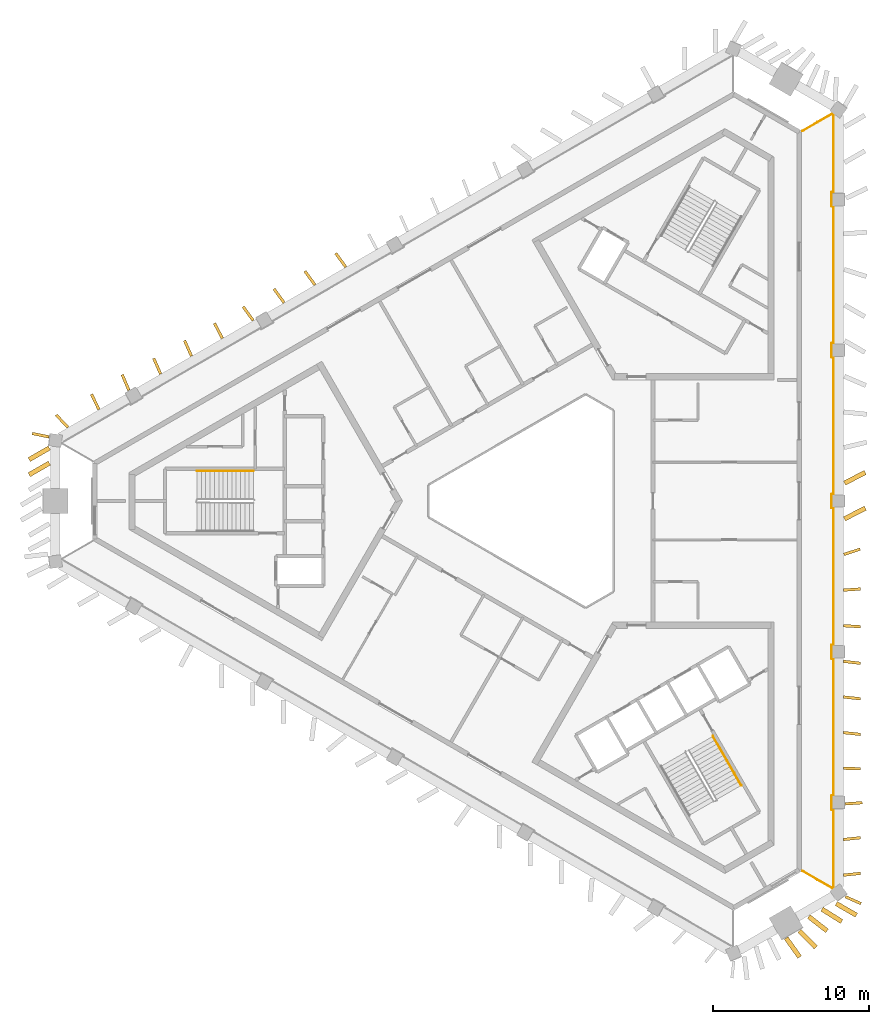
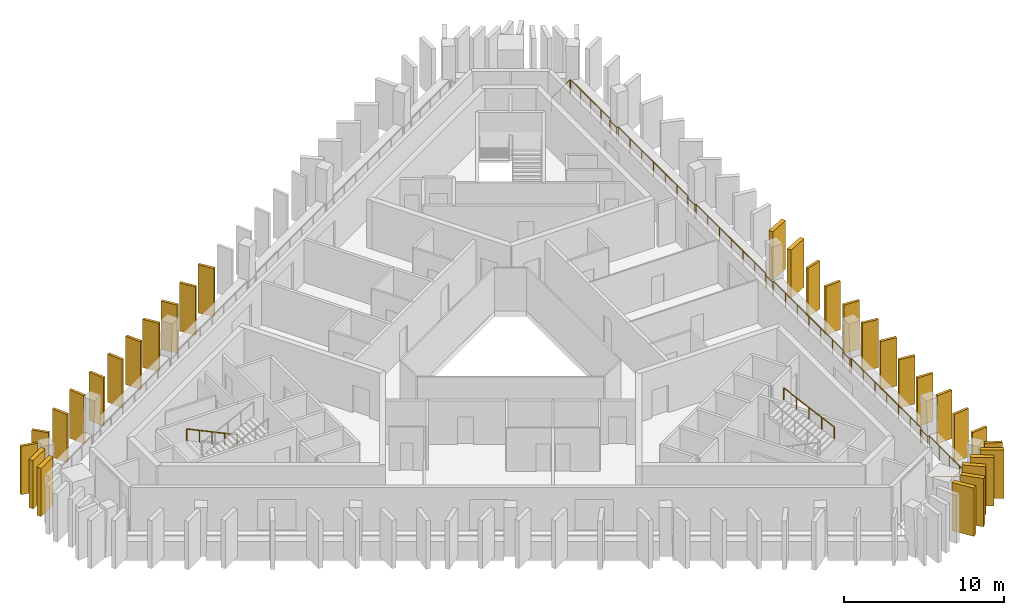
# One storey, part 8 of 9: 31 shading devices, 3 railings.
"""IFC4 building model written with IfcOpenShell, lengths in metres."""

from ifc_helpers import new_model, si_unit, direction, frame, frame_2d, origin, origin_2d, place, context, subcontext, project, spatial, rectangle, circle, extrude, material, layer, layer_set, type_object, element, save


model = new_model("IFC4")

# Units and contexts
model_context = context("Model", 3, precision=1e-05, world=origin(), true_north=direction((0.0, 1.0)))
body_context = subcontext(model_context, "Body", "Model", "MODEL_VIEW")
ifc_project = project(units=[si_unit("LENGTHUNIT", "METRE"), si_unit("AREAUNIT", "SQUARE_METRE"), si_unit("VOLUMEUNIT", "CUBIC_METRE"), si_unit("PLANEANGLEUNIT", "RADIAN"), si_unit("MASSUNIT", "GRAM", prefix="KILO")], contexts=[model_context])

# Site, building, storey
site_placement = place(None, origin())
site = spatial("IfcSite", under=ifc_project, at=site_placement, CompositionType="ELEMENT")
building_placement = place(site_placement, origin())
building = spatial("IfcBuilding", under=site, at=building_placement, Name="Jabali Bay Hotel Tower and Convention Centre", CompositionType="ELEMENT")
storey_placement = place(building_placement, frame((0.0, 0.0, 277.5)))
storey = spatial("IfcBuildingStorey", under=building, at=storey_placement, Name="L68", CompositionType="ELEMENT", Elevation=277.5)

# Railing
ifc_material_1 = material(Name="Glass", Category="glass")
railing_type_1 = type_object("IfcRailingType", Name="Loggia glass guard 1100", PredefinedType="BALUSTRADE", material=ifc_material_1)
railing_1_placement = place(storey_placement, frame((91.703125, 103.78759765625, 0.0)))
element("IfcRailing", 1, at=railing_1_placement, inside=storey, type_object=railing_type_1, Name="Loggia glass guard L68", PredefinedType="BALUSTRADE", context=body_context, shape_type="SweptSolid", body=[
    extrude(circle(Radius=0.02490234375, at=origin_2d()), frame((0.0, 0.0, 1.0751953125), z_axis=(0.866035472144, 0.499982560684, 0.0), x_axis=(-0.495705140567, 0.858626418625, 0.13052619222)), (0.0, 0.0, 1.0), 2.27490234375),
    extrude(circle(Radius=0.02490234375, at=origin_2d()), frame((1.97021484375, 1.137451171875, 1.0751953125), z_axis=(0.798426583615, -0.602092177808, 0.0), x_axis=(0.596941195761, 0.791595933509, 0.13052619222)), (0.0, 0.0, 1.0), 0.037353515625),
    extrude(circle(Radius=0.02490234375, at=origin_2d()), frame((2.0, 1.114990234375, 1.0751953125), z_axis=(0.0, -1.0, 0.0), x_axis=(0.991444861374, 0.0, 0.13052619222)), (0.0, 0.0, 1.0), 5.051513671875),
    extrude(circle(Radius=0.02490234375, at=origin_2d()), frame((2.0, -3.9365234375, 1.0751953125), z_axis=(-1.0, 0.0, 0.0), x_axis=(0.0, -0.991444861374, 0.13052619222)), (0.0, 0.0, 1.0), 0.099853515625),
    extrude(circle(Radius=0.02490234375, at=origin_2d()), frame((1.900146484375, -3.9365234375, 1.0751953125), z_axis=(0.0, -1.0, 0.0), x_axis=(0.991444861374, 0.0, 0.13052619222)), (0.0, 0.0, 1.0), 0.89990234375),
    extrude(circle(Radius=0.02490234375, at=origin_2d()), frame((1.900146484375, -4.83642578125, 1.0751953125), z_axis=(1.0, 0.0, 0.0), x_axis=(0.0, 0.991444861374, 0.13052619222)), (0.0, 0.0, 1.0), 0.099853515625),
    extrude(circle(Radius=0.02490234375, at=origin_2d()), frame((2.0, -4.83642578125, 1.0751953125), z_axis=(0.0, -1.0, 0.0), x_axis=(0.991444861374, 0.0, 0.13052619222)), (0.0, 0.0, 1.0), 8.800537109375),
    extrude(circle(Radius=0.02490234375, at=origin_2d()), frame((2.0, -13.636962890625, 1.0751953125), z_axis=(-1.0, 0.0, 0.0), x_axis=(0.0, -0.991444861374, 0.13052619222)), (0.0, 0.0, 1.0), 0.099853515625),
    extrude(circle(Radius=0.02490234375, at=origin_2d()), frame((1.900146484375, -13.636962890625, 1.0751953125), z_axis=(0.0, -1.0, 0.0), x_axis=(0.991444861374, 0.0, 0.13052619222)), (0.0, 0.0, 1.0), 0.900146484375),
    extrude(circle(Radius=0.02490234375, at=origin_2d()), frame((1.900146484375, -14.537109375, 1.0751953125), z_axis=(1.0, 0.0, 0.0), x_axis=(0.0, 0.991444861374, 0.13052619222)), (0.0, 0.0, 1.0), 0.099853515625),
    extrude(circle(Radius=0.02490234375, at=origin_2d()), frame((2.0, -14.537109375, 1.0751953125), z_axis=(0.0, -1.0, 0.0), x_axis=(0.991444861374, 0.0, 0.13052619222)), (0.0, 0.0, 1.0), 8.800537109375),
    extrude(circle(Radius=0.02490234375, at=origin_2d()), frame((2.0, -23.337646484375, 1.0751953125), z_axis=(-1.0, 0.0, 0.0), x_axis=(0.0, -0.991444861374, 0.13052619222)), (0.0, 0.0, 1.0), 0.099853515625),
    extrude(circle(Radius=0.02490234375, at=origin_2d()), frame((1.900146484375, -23.337646484375, 1.0751953125), z_axis=(0.0, -1.0, 0.0), x_axis=(0.991444861374, 0.0, 0.13052619222)), (0.0, 0.0, 1.0), 0.89990234375),
    extrude(circle(Radius=0.02490234375, at=origin_2d()), frame((1.900146484375, -24.237548828125, 1.0751953125), z_axis=(1.0, 0.0, 0.0), x_axis=(0.0, 0.991444861374, 0.13052619222)), (0.0, 0.0, 1.0), 0.099853515625),
    extrude(circle(Radius=0.02490234375, at=origin_2d()), frame((2.0, -24.237548828125, 1.0751953125), z_axis=(0.0, -1.0, 0.0), x_axis=(0.991444861374, 0.0, 0.13052619222)), (0.0, 0.0, 1.0), 8.800537109375),
    extrude(circle(Radius=0.02490234375, at=origin_2d()), frame((2.0, -33.0380859375, 1.0751953125), z_axis=(-1.0, 0.0, 0.0), x_axis=(0.0, -0.991444861374, 0.13052619222)), (0.0, 0.0, 1.0), 0.099853515625),
    extrude(circle(Radius=0.02490234375, at=origin_2d()), frame((1.900146484375, -33.0380859375, 1.0751953125), z_axis=(0.0, -1.0, 0.0), x_axis=(0.991444861374, 0.0, 0.13052619222)), (0.0, 0.0, 1.0), 0.900146484375),
    extrude(circle(Radius=0.02490234375, at=origin_2d()), frame((1.900146484375, -33.938232421875, 1.0751953125), z_axis=(1.0, 0.0, 0.0), x_axis=(0.0, 0.991444861374, 0.13052619222)), (0.0, 0.0, 1.0), 0.099853515625),
    extrude(circle(Radius=0.02490234375, at=origin_2d()), frame((2.0, -33.938232421875, 1.0751953125), z_axis=(0.0, -1.0, 0.0), x_axis=(0.991444861374, 0.0, 0.13052619222)), (0.0, 0.0, 1.0), 8.800537109375),
    extrude(circle(Radius=0.02490234375, at=origin_2d()), frame((2.0, -42.73876953125, 1.0751953125), z_axis=(-1.0, 0.0, 0.0), x_axis=(0.0, -0.991444861374, 0.13052619222)), (0.0, 0.0, 1.0), 0.099853515625),
    extrude(circle(Radius=0.02490234375, at=origin_2d()), frame((1.900146484375, -42.73876953125, 1.0751953125), z_axis=(0.0, -1.0, 0.0), x_axis=(0.991444861374, 0.0, 0.13052619222)), (0.0, 0.0, 1.0), 0.89990234375),
    extrude(circle(Radius=0.02490234375, at=origin_2d()), frame((1.900146484375, -43.638671875, 1.0751953125), z_axis=(1.0, 0.0, 0.0), x_axis=(0.0, 0.991444861374, 0.13052619222)), (0.0, 0.0, 1.0), 0.099853515625),
    extrude(circle(Radius=0.02490234375, at=origin_2d()), frame((2.0, -43.638671875, 1.0751953125), z_axis=(0.0, -1.0, 0.0), x_axis=(0.991444861374, 0.0, 0.13052619222)), (0.0, 0.0, 1.0), 5.051513671875),
    extrude(circle(Radius=0.02490234375, at=origin_2d()), frame((2.0, -48.690185546875, 1.0751953125), z_axis=(-0.798426583615, -0.602092177808, 0.0), x_axis=(0.596941195761, -0.791595933509, 0.13052619222)), (0.0, 0.0, 1.0), 0.037353515625),
    extrude(circle(Radius=0.02490234375, at=origin_2d()), frame((1.97021484375, -48.712646484375, 1.0751953125), z_axis=(-0.866035472144, 0.499982560684, 0.0), x_axis=(-0.495705140567, -0.858626418625, 0.13052619222)), (0.0, 0.0, 1.0), 2.27490234375),
    extrude(circle(Radius=0.02001953125, at=origin_2d()), origin(), (0.0, 0.0, 1.0), 1.050048828125),
    extrude(circle(Radius=0.02001953125, at=origin_2d()), frame((0.985107421875, 0.56884765625, 0.0)), (0.0, 0.0, 1.0), 1.050048828125),
    extrude(circle(Radius=0.02001953125, at=origin_2d()), frame((1.97021484375, 1.137451171875, 0.0)), (0.0, 0.0, 1.0), 1.050048828125),
    extrude(circle(Radius=0.02001953125, at=origin_2d()), frame((2.0, 1.114990234375, 0.0)), (0.0, 0.0, 1.0), 1.050048828125),
    extrude(circle(Radius=0.02001953125, at=origin_2d()), frame((2.0, -0.14794921875, 0.0)), (0.0, 0.0, 1.0), 1.050048828125),
    extrude(circle(Radius=0.02001953125, at=origin_2d()), frame((2.0, -1.41064453125, 0.0)), (0.0, 0.0, 1.0), 1.050048828125),
    extrude(circle(Radius=0.02001953125, at=origin_2d()), frame((2.0, -2.673583984375, 0.0)), (0.0, 0.0, 1.0), 1.050048828125),
    extrude(circle(Radius=0.02001953125, at=origin_2d()), frame((2.0, -3.9365234375, 0.0)), (0.0, 0.0, 1.0), 1.050048828125),
    extrude(circle(Radius=0.02001953125, at=origin_2d()), frame((1.900146484375, -3.9365234375, 0.0)), (0.0, 0.0, 1.0), 1.050048828125),
    extrude(circle(Radius=0.02001953125, at=origin_2d()), frame((1.900146484375, -4.83642578125, 0.0)), (0.0, 0.0, 1.0), 1.050048828125),
    extrude(circle(Radius=0.02001953125, at=origin_2d()), frame((2.0, -4.83642578125, 0.0)), (0.0, 0.0, 1.0), 1.050048828125),
    extrude(circle(Radius=0.02001953125, at=origin_2d()), frame((2.0, -6.30322265625, 0.0)), (0.0, 0.0, 1.0), 1.050048828125),
    extrude(circle(Radius=0.02001953125, at=origin_2d()), frame((2.0, -7.77001953125, 0.0)), (0.0, 0.0, 1.0), 1.050048828125),
    extrude(circle(Radius=0.02001953125, at=origin_2d()), frame((2.0, -9.23681640625, 0.0)), (0.0, 0.0, 1.0), 1.050048828125),
    extrude(circle(Radius=0.02001953125, at=origin_2d()), frame((2.0, -10.703369140625, 0.0)), (0.0, 0.0, 1.0), 1.050048828125),
    extrude(circle(Radius=0.02001953125, at=origin_2d()), frame((2.0, -12.170166015625, 0.0)), (0.0, 0.0, 1.0), 1.050048828125),
    extrude(circle(Radius=0.02001953125, at=origin_2d()), frame((2.0, -13.636962890625, 0.0)), (0.0, 0.0, 1.0), 1.050048828125),
    extrude(circle(Radius=0.02001953125, at=origin_2d()), frame((1.900146484375, -13.636962890625, 0.0)), (0.0, 0.0, 1.0), 1.050048828125),
    extrude(circle(Radius=0.02001953125, at=origin_2d()), frame((1.900146484375, -14.537109375, 0.0)), (0.0, 0.0, 1.0), 1.050048828125),
    extrude(circle(Radius=0.02001953125, at=origin_2d()), frame((2.0, -14.537109375, 0.0)), (0.0, 0.0, 1.0), 1.050048828125),
    extrude(circle(Radius=0.02001953125, at=origin_2d()), frame((2.0, -16.00390625, 0.0)), (0.0, 0.0, 1.0), 1.050048828125),
    extrude(circle(Radius=0.02001953125, at=origin_2d()), frame((2.0, -17.470703125, 0.0)), (0.0, 0.0, 1.0), 1.050048828125),
    extrude(circle(Radius=0.02001953125, at=origin_2d()), frame((2.0, -18.9375, 0.0)), (0.0, 0.0, 1.0), 1.050048828125),
    extrude(circle(Radius=0.02001953125, at=origin_2d()), frame((2.0, -20.404052734375, 0.0)), (0.0, 0.0, 1.0), 1.050048828125),
    extrude(circle(Radius=0.02001953125, at=origin_2d()), frame((2.0, -21.870849609375, 0.0)), (0.0, 0.0, 1.0), 1.050048828125),
    extrude(circle(Radius=0.02001953125, at=origin_2d()), frame((2.0, -23.337646484375, 0.0)), (0.0, 0.0, 1.0), 1.050048828125),
    extrude(circle(Radius=0.02001953125, at=origin_2d()), frame((1.900146484375, -23.337646484375, 0.0)), (0.0, 0.0, 1.0), 1.050048828125),
    extrude(circle(Radius=0.02001953125, at=origin_2d()), frame((1.900146484375, -24.237548828125, 0.0)), (0.0, 0.0, 1.0), 1.050048828125),
    extrude(circle(Radius=0.02001953125, at=origin_2d()), frame((2.0, -24.237548828125, 0.0)), (0.0, 0.0, 1.0), 1.050048828125),
    extrude(circle(Radius=0.02001953125, at=origin_2d()), frame((2.0, -25.704345703125, 0.0)), (0.0, 0.0, 1.0), 1.050048828125),
    extrude(circle(Radius=0.02001953125, at=origin_2d()), frame((2.0, -27.171142578125, 0.0)), (0.0, 0.0, 1.0), 1.050048828125),
    extrude(circle(Radius=0.02001953125, at=origin_2d()), frame((2.0, -28.6376953125, 0.0)), (0.0, 0.0, 1.0), 1.050048828125),
    extrude(circle(Radius=0.02001953125, at=origin_2d()), frame((2.0, -30.1044921875, 0.0)), (0.0, 0.0, 1.0), 1.050048828125),
    extrude(circle(Radius=0.02001953125, at=origin_2d()), frame((2.0, -31.5712890625, 0.0)), (0.0, 0.0, 1.0), 1.050048828125),
    extrude(circle(Radius=0.02001953125, at=origin_2d()), frame((2.0, -33.0380859375, 0.0)), (0.0, 0.0, 1.0), 1.050048828125),
    extrude(circle(Radius=0.02001953125, at=origin_2d()), frame((1.900146484375, -33.0380859375, 0.0)), (0.0, 0.0, 1.0), 1.050048828125),
    extrude(circle(Radius=0.02001953125, at=origin_2d()), frame((1.900146484375, -33.938232421875, 0.0)), (0.0, 0.0, 1.0), 1.050048828125),
    extrude(circle(Radius=0.02001953125, at=origin_2d()), frame((2.0, -33.938232421875, 0.0)), (0.0, 0.0, 1.0), 1.050048828125),
    extrude(circle(Radius=0.02001953125, at=origin_2d()), frame((2.0, -35.405029296875, 0.0)), (0.0, 0.0, 1.0), 1.050048828125),
    extrude(circle(Radius=0.02001953125, at=origin_2d()), frame((2.0, -36.871826171875, 0.0)), (0.0, 0.0, 1.0), 1.050048828125),
    extrude(circle(Radius=0.02001953125, at=origin_2d()), frame((2.0, -38.33837890625, 0.0)), (0.0, 0.0, 1.0), 1.050048828125),
    extrude(circle(Radius=0.02001953125, at=origin_2d()), frame((2.0, -39.80517578125, 0.0)), (0.0, 0.0, 1.0), 1.050048828125),
    extrude(circle(Radius=0.02001953125, at=origin_2d()), frame((2.0, -41.27197265625, 0.0)), (0.0, 0.0, 1.0), 1.050048828125),
    extrude(circle(Radius=0.02001953125, at=origin_2d()), frame((2.0, -42.73876953125, 0.0)), (0.0, 0.0, 1.0), 1.050048828125),
    extrude(circle(Radius=0.02001953125, at=origin_2d()), frame((1.900146484375, -42.73876953125, 0.0)), (0.0, 0.0, 1.0), 1.050048828125),
    extrude(circle(Radius=0.02001953125, at=origin_2d()), frame((1.900146484375, -43.638671875, 0.0)), (0.0, 0.0, 1.0), 1.050048828125),
    extrude(circle(Radius=0.02001953125, at=origin_2d()), frame((2.0, -43.638671875, 0.0)), (0.0, 0.0, 1.0), 1.050048828125),
    extrude(circle(Radius=0.02001953125, at=origin_2d()), frame((2.0, -44.901611328125, 0.0)), (0.0, 0.0, 1.0), 1.050048828125),
    extrude(circle(Radius=0.02001953125, at=origin_2d()), frame((2.0, -46.16455078125, 0.0)), (0.0, 0.0, 1.0), 1.050048828125),
    extrude(circle(Radius=0.02001953125, at=origin_2d()), frame((2.0, -47.42724609375, 0.0)), (0.0, 0.0, 1.0), 1.050048828125),
    extrude(circle(Radius=0.02001953125, at=origin_2d()), frame((2.0, -48.690185546875, 0.0)), (0.0, 0.0, 1.0), 1.050048828125),
    extrude(circle(Radius=0.02001953125, at=origin_2d()), frame((1.97021484375, -48.712646484375, 0.0)), (0.0, 0.0, 1.0), 1.050048828125),
    extrude(circle(Radius=0.02001953125, at=origin_2d()), frame((0.985107421875, -48.14404296875, 0.0)), (0.0, 0.0, 1.0), 1.050048828125),
    extrude(circle(Radius=0.02001953125, at=origin_2d()), frame((0.0, -47.5751953125, 0.0)), (0.0, 0.0, 1.0), 1.050048828125),
])

# Shading devices
ifc_material_2 = material(Name="Precast concrete C60", Category="concrete")
ifc_layer_1 = layer(ifc_material_2, 0.179931640625)
ifc_layer_set_1 = layer_set([ifc_layer_1], Name="Precast concrete C60")
shading_device_type_1 = type_object("IfcShadingDeviceType", Name="Precast fin 3680 x 1100", PredefinedType="USERDEFINED", material=ifc_layer_set_1)
for number, where, z_axis, x_axis, name in (
    (2, (94.355224609375, 55.943359375, 0.010009765625), (0.0, 0.0, 1.0), (0.994426111477, 0.10543580423, 0.0), "Fin L68 000"),
    (3, (94.355224609375, 58.234619140625, 0.010009765625), (0.0, 0.0, 1.0), (0.994449360942, 0.105216293993, 0.0), "Fin L68 001"),
    (4, (94.45947265625, 60.525634765625, 0.010009765625), (0.0, 0.0, 1.0), (0.997583337488, 0.06948010339, 0.0), "Fin L68 002"),
):
    element("IfcShadingDevice", number, at=place(storey_placement, frame(where, z_axis=z_axis, x_axis=x_axis)), inside=storey, type_object=shading_device_type_1, Name=name, ObjectType="FIN", PredefinedType="USERDEFINED", context=body_context, shape_type="SweptSolid", body=[
        extrude(rectangle(XDim=1.099853515625, YDim=0.179931640625, at=frame_2d((0.5498046875, 0.0))), origin(), (0.0, 0.0, 1.0), 3.679931640625),
    ])
shading_device_1_placement = place(storey_placement, frame((94.3486328125, 62.816650390625, 0.010009765625), z_axis=(0.0, 0.0, 1.0), x_axis=(0.999430777121, -0.033736059987, 0.0)))
element("IfcShadingDevice", 5, at=shading_device_1_placement, inside=storey, type_object=shading_device_type_1, Name="Fin L68 003", ObjectType="FIN", PredefinedType="USERDEFINED", context=body_context, shape_type="SweptSolid", body=[
    extrude(rectangle(XDim=1.10009765625, YDim=0.179931640625, at=frame_2d((0.550048828125, 0.0))), origin(), (0.0, 0.0, 1.0), 3.679931640625),
])
for number, where, z_axis, x_axis, name in (
    (6, (94.355224609375, 65.10791015625, 0.010009765625), (0.0, 0.0, 1.0), (0.994356078947, -0.106094242352, 0.0), "Fin L68 004"),
    (7, (94.35546875, 67.39892578125, 0.010009765625), (0.0, 0.0, 1.0), (0.994164661671, -0.107873191688, 0.0), "Fin L68 005"),
    (8, (94.35595703125, 69.68994140625, 0.010009765625), (0.0, 0.0, 1.0), (0.99349613467, -0.113865843853, 0.0), "Fin L68 006"),
):
    element("IfcShadingDevice", number, at=place(storey_placement, frame(where, z_axis=z_axis, x_axis=x_axis)), inside=storey, type_object=shading_device_type_1, Name=name, ObjectType="FIN", PredefinedType="USERDEFINED", context=body_context, shape_type="SweptSolid", body=[
        extrude(rectangle(XDim=1.099853515625, YDim=0.179931640625, at=frame_2d((0.5498046875, 0.0))), origin(), (0.0, 0.0, 1.0), 3.679931640625),
    ])
for number, where, z_axis, x_axis, name in (
    (9, (94.350830078125, 71.981201171875, 0.010009765625), (0.0, 0.0, 1.0), (0.998320743237, -0.057928349041, 0.0), "Fin L68 007"),
    (10, (94.3515625, 74.272216796875, 0.010009765625), (0.0, 0.0, 1.0), (0.997795946589, 0.066356981323, 0.0), "Fin L68 008"),
    (11, (94.37353515625, 76.563232421875, 0.010009765625), (0.0, 0.0, 1.0), (0.950443634191, 0.310896925403, 0.0), "Fin L68 009"),
):
    element("IfcShadingDevice", number, at=place(storey_placement, frame(where, z_axis=z_axis, x_axis=x_axis)), inside=storey, type_object=shading_device_type_1, Name=name, ObjectType="FIN", PredefinedType="USERDEFINED", context=body_context, shape_type="SweptSolid", body=[
        extrude(rectangle(XDim=1.10009765625, YDim=0.179931640625, at=frame_2d((0.550048828125, 0.0))), origin(), (0.0, 0.0, 1.0), 3.679931640625),
    ])
for number, where, z_axis, x_axis, name in (
    (12, (62.34619140625, 95.043701171875, 0.010009765625), (0.0, 0.0, 1.0), (-0.588646717653, 0.808390401845, 0.0), "Fin L68 042"),
    (13, (60.362060546875, 93.898193359375, 0.010009765625), (0.0, 0.0, 1.0), (-0.58839602701, 0.808572888117, 0.0), "Fin L68 043"),
    (14, (58.3779296875, 92.752685546875, 0.010009765625), (0.0, 0.0, 1.0), (-0.58839602701, 0.808572888117, 0.0), "Fin L68 044"),
    (15, (56.393798828125, 91.607177734375, 0.010009765625), (0.0, 0.0, 1.0), (-0.58839602701, 0.808572888117, 0.0), "Fin L68 045"),
    (16, (54.412353515625, 90.456787109375, 0.010009765625), (0.0, 0.0, 1.0), (-0.462156305685, 0.886798482811, 0.0), "Fin L68 046"),
    (17, (52.425537109375, 89.316162109375, 0.010009765625), (0.0, 0.0, 1.0), (-0.405087864039, 0.914277759988, 0.0), "Fin L68 047"),
):
    element("IfcShadingDevice", number, at=place(storey_placement, frame(where, z_axis=z_axis, x_axis=x_axis)), inside=storey, type_object=shading_device_type_1, Name=name, ObjectType="FIN", PredefinedType="USERDEFINED", context=body_context, shape_type="SweptSolid", body=[
        extrude(rectangle(XDim=1.099853515625, YDim=0.179931640625, at=frame_2d((0.5498046875, 0.0))), origin(), (0.0, 0.0, 1.0), 3.679931640625),
    ])
for number, where, z_axis, x_axis, name in (
    (18, (50.441162109375, 88.170654296875, 0.010009765625), (0.0, 0.0, 1.0), (-0.402552685733, 0.915396818439, 0.0), "Fin L68 048"),
    (19, (48.40283203125, 87.118896484375, 0.010009765625), (0.0, 0.0, 1.0), (-0.394615629049, 0.918846290361, 0.0), "Fin L68 049"),
    (20, (46.474365234375, 85.876953125, 0.010009765625), (0.0, 0.0, 1.0), (-0.433221632149, 0.901287422212, 0.0), "Fin L68 050"),
):
    element("IfcShadingDevice", number, at=place(storey_placement, frame(where, z_axis=z_axis, x_axis=x_axis)), inside=storey, type_object=shading_device_type_1, Name=name, ObjectType="FIN", PredefinedType="USERDEFINED", context=body_context, shape_type="SweptSolid", body=[
        extrude(rectangle(XDim=1.10009765625, YDim=0.179931640625, at=frame_2d((0.550048828125, 0.0))), origin(), (0.0, 0.0, 1.0), 3.679931640625),
    ])
shading_device_2_placement = place(storey_placement, frame((44.482666015625, 84.744384765625, 0.010009765625), z_axis=(0.0, 0.0, 1.0), x_axis=(-0.693663015048, 0.720299674826, 0.0)))
element("IfcShadingDevice", 21, at=shading_device_2_placement, inside=storey, type_object=shading_device_type_1, Name="Fin L68 051", ObjectType="FIN", PredefinedType="USERDEFINED", context=body_context, shape_type="SweptSolid", body=[
    extrude(rectangle(XDim=1.099853515625, YDim=0.179931640625, at=frame_2d((0.5498046875, 0.0))), origin(), (0.0, 0.0, 1.0), 3.679931640625),
])
shading_device_3_placement = place(storey_placement, frame((94.469970703125, 54.557373046875, 0.010009765625), z_axis=(0.0, 0.0, 1.0), x_axis=(0.913912190317, -0.405911946598, 0.0)))
element("IfcShadingDevice", 22, at=shading_device_3_placement, inside=storey, type_object=shading_device_type_1, Name="Fin L68 090", ObjectType="FIN", PredefinedType="USERDEFINED", context=body_context, shape_type="SweptSolid", body=[
    extrude(rectangle(XDim=1.10009765625, YDim=0.179931640625, at=frame_2d((0.550048828125, 0.0))), origin(), (0.0, 0.0, 1.0), 3.679931640625),
])
shading_device_4_placement = place(storey_placement, frame((43.26513671875, 84.120361328125, 0.010009765625), z_axis=(0.0, 0.0, 1.0), x_axis=(-0.979296848982, 0.202429448384, 0.0)))
element("IfcShadingDevice", 23, at=shading_device_4_placement, inside=storey, type_object=shading_device_type_1, Name="Fin L68 093", ObjectType="FIN", PredefinedType="USERDEFINED", context=body_context, shape_type="SweptSolid", body=[
    extrude(rectangle(XDim=1.099853515625, YDim=0.179931640625, at=frame_2d((0.5498046875, 0.0))), origin(), (0.0, 0.0, 1.0), 3.679931640625),
])
ifc_layer_2 = layer(ifc_material_2, 0.300048828125)
ifc_layer_set_2 = layer_set([ifc_layer_2], Name="Precast concrete C60")
shading_device_type_2 = type_object("IfcShadingDeviceType", Name="Precast fin 3680 x 1500", PredefinedType="USERDEFINED", material=ifc_layer_set_2)
shading_device_5_placement = place(storey_placement, frame((94.413818359375, 78.8544921875, 0.010009765625), z_axis=(0.0, 0.0, 1.0), x_axis=(0.890553366964, 0.454878775706, 0.0)))
element("IfcShadingDevice", 24, at=shading_device_5_placement, inside=storey, type_object=shading_device_type_2, Name="Fin L68 010", ObjectType="FIN", PredefinedType="USERDEFINED", context=body_context, shape_type="SweptSolid", body=[
    extrude(rectangle(XDim=1.5, YDim=0.300048828125, at=frame_2d((0.75, 0.0))), origin(), (0.0, 0.0, 1.0), 3.679931640625),
])
for number, where, z_axis, x_axis, name in (
    (25, (94.4150390625, 81.1455078125, 0.010009765625), (0.0, 0.0, 1.0), (0.886814029151, 0.462126473708, 0.0), "Fin L68 011"),
    (26, (43.285888671875, 83.412109375, 0.010009765625), (0.0, 0.0, 1.0), (-0.86599040064, -0.500060622324, 0.0), "Fin L68 052"),
    (27, (43.285888671875, 82.437255859375, 0.010009765625), (0.0, 0.0, 1.0), (-0.86599040064, -0.500060622324, 0.0), "Fin L68 053"),
):
    element("IfcShadingDevice", number, at=place(storey_placement, frame(where, z_axis=z_axis, x_axis=x_axis)), inside=storey, type_object=shading_device_type_2, Name=name, ObjectType="FIN", PredefinedType="USERDEFINED", context=body_context, shape_type="SweptSolid", body=[
        extrude(rectangle(XDim=1.499755859375, YDim=0.300048828125, at=frame_2d((0.75, 0.0))), origin(), (0.0, 0.0, 1.0), 3.679931640625),
    ])
for number, where, z_axis, x_axis, name in (
    (28, (90.660888671875, 51.899658203125, 0.010009765625), (0.0, 0.0, 1.0), (0.579759177588, -0.814787884055, 0.0), "Fin L68 085"),
    (29, (91.5166015625, 52.367431640625, 0.010009765625), (0.0, 0.0, 1.0), (0.698921594874, -0.71519829713, 0.0), "Fin L68 086"),
    (30, (92.114013671875, 53.282470703125, 0.010009765625), (0.0, 0.0, 1.0), (0.787728187209, -0.616022972848, 0.0), "Fin L68 087"),
):
    element("IfcShadingDevice", number, at=place(storey_placement, frame(where, z_axis=z_axis, x_axis=x_axis)), inside=storey, type_object=shading_device_type_2, Name=name, ObjectType="FIN", PredefinedType="USERDEFINED", context=body_context, shape_type="SweptSolid", body=[
        extrude(rectangle(XDim=1.5, YDim=0.300048828125, at=frame_2d((0.75, 0.0))), origin(), (0.0, 0.0, 1.0), 3.679931640625),
    ])
shading_device_6_placement = place(storey_placement, frame((92.96533203125, 53.757568359375, 0.010009765625), z_axis=(0.0, 0.0, 1.0), x_axis=(0.846963290273, -0.531651375367, 0.0)))
element("IfcShadingDevice", 31, at=shading_device_6_placement, inside=storey, type_object=shading_device_type_2, Name="Fin L68 088", ObjectType="FIN", PredefinedType="USERDEFINED", context=body_context, shape_type="SweptSolid", body=[
    extrude(rectangle(XDim=1.499755859375, YDim=0.300048828125, at=frame_2d((0.75, 0.0))), origin(), (0.0, 0.0, 1.0), 3.679931640625),
])
shading_device_7_placement = place(storey_placement, frame((93.883056640625, 54.117919921875, 0.010009765625), z_axis=(0.0, 0.0, 1.0), x_axis=(0.866031096941, -0.499990139034, 0.0)))
element("IfcShadingDevice", 32, at=shading_device_7_placement, inside=storey, type_object=shading_device_type_2, Name="Fin L68 089", ObjectType="FIN", PredefinedType="USERDEFINED", context=body_context, shape_type="SweptSolid", body=[
    extrude(rectangle(XDim=1.5, YDim=0.300048828125, at=frame_2d((0.75, 0.0))), origin(), (0.0, 0.0, 1.0), 3.679931640625),
])

# Railings
ifc_material_3 = material(Name="Steel Q355B", Category="steel")
railing_type_2 = type_object("IfcRailingType", Name="Stair handrail 900", PredefinedType="HANDRAIL", material=ifc_material_3)
railing_2_placement = place(storey_placement, frame((56.419921875, 81.925048828125, 0.132080078125)))
element("IfcRailing", 33, at=railing_2_placement, inside=storey, type_object=railing_type_2, Name="L68 ST1 stair handrail 1", PredefinedType="HANDRAIL", context=body_context, shape_type="SweptSolid", body=[
    extrude(circle(Radius=0.02392578125, at=origin_2d()), frame((0.0, 0.0, 0.8759765625), z_axis=(-0.904327350853, 0.0, 0.426839598092), x_axis=(0.0, -1.0, 0.0)), (0.0, 0.0, 1.0), 4.02490234375),
    extrude(circle(Radius=0.02099609375, at=origin_2d()), origin(), (0.0, 0.0, 1.0), 0.851806640625),
    extrude(circle(Radius=0.02099609375, at=origin_2d()), frame((-0.909912109375, 0.0, 0.429443359375)), (0.0, 0.0, 1.0), 0.851806640625),
    extrude(circle(Radius=0.02099609375, at=origin_2d()), frame((-1.81982421875, 0.0, 0.85888671875)), (0.0, 0.0, 1.0), 0.851806640625),
    extrude(circle(Radius=0.02099609375, at=origin_2d()), frame((-2.72998046875, 0.0, 1.28857421875)), (0.0, 0.0, 1.0), 0.851806640625),
    extrude(circle(Radius=0.02099609375, at=origin_2d()), frame((-3.639892578125, 0.0, 1.718017578125)), (0.0, 0.0, 1.0), 0.851806640625),
])
railing_3_placement = place(storey_placement, frame((87.777099609375, 61.719482421875, 1.982177734375)))
element("IfcRailing", 34, at=railing_3_placement, inside=storey, type_object=railing_type_2, Name="L68 ST3 stair handrail 2", PredefinedType="HANDRAIL", context=body_context, shape_type="SweptSolid", body=[
    extrude(circle(Radius=0.02392578125, at=origin_2d()), frame((0.0, 0.0, 0.8759765625), z_axis=(-0.452190331055, 0.783190014029, 0.426775475427), x_axis=(-0.866018046521, -0.500012742938, 0.0)), (0.0, 0.0, 1.0), 4.02490234375),
    extrude(circle(Radius=0.02099609375, at=origin_2d()), origin(), (0.0, 0.0, 1.0), 0.851806640625),
    extrude(circle(Radius=0.02099609375, at=origin_2d()), frame((-0.455078125, 0.7880859375, 0.429443359375)), (0.0, 0.0, 1.0), 0.851806640625),
    extrude(circle(Radius=0.02099609375, at=origin_2d()), frame((-0.91015625, 1.576171875, 0.85888671875)), (0.0, 0.0, 1.0), 0.851806640625),
    extrude(circle(Radius=0.02099609375, at=origin_2d()), frame((-1.364990234375, 2.3642578125, 1.288330078125)), (0.0, 0.0, 1.0), 0.851806640625),
    extrude(circle(Radius=0.02099609375, at=origin_2d()), frame((-1.820068359375, 3.15234375, 1.7177734375)), (0.0, 0.0, 1.0), 0.851806640625),
])

save(model, "model.ifc")
